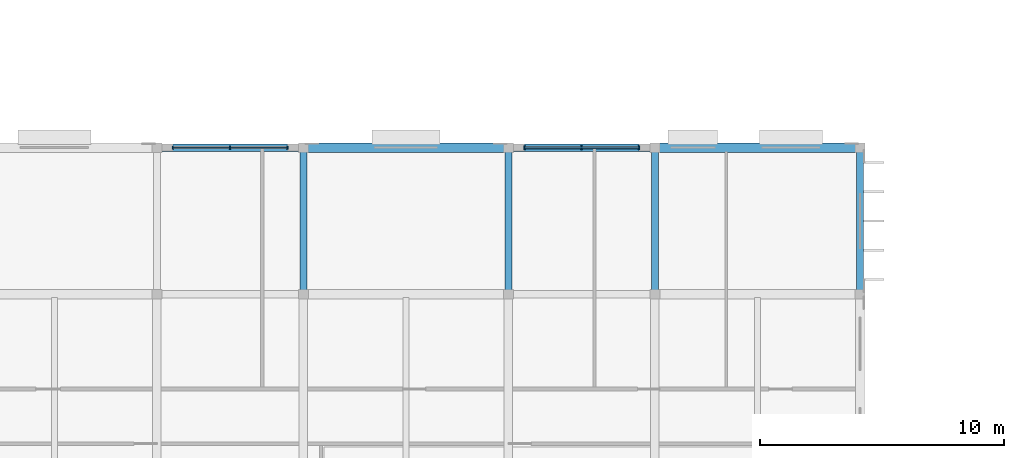
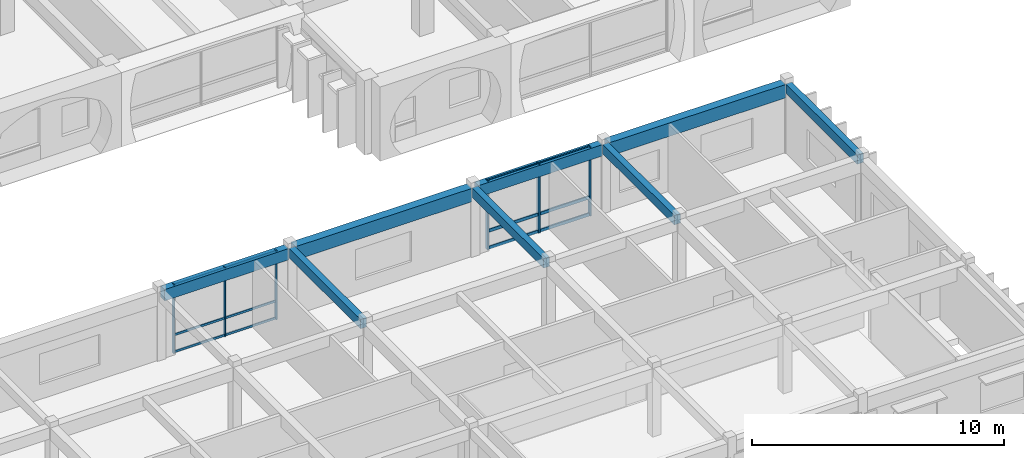
# One storey, part 31 of 88: 12 members, 8 beams, 2 elements without a shape of their own.
"""IFC4 building model written with IfcOpenShell, lengths in metres."""

from ifc_helpers import new_model, si_unit, direction, frame, origin, origin_2d, place, context, subcontext, project, spatial, rectangle, extrude, material, material_profile, profile_set, type_object, element, aggregate, save


model = new_model("IFC4")

# Units and contexts
model_context = context("Model", 3, precision=1e-05, world=origin(), true_north=direction((0.0, 1.0)))
body_context = subcontext(model_context, "Body", "Model", "MODEL_VIEW")
ifc_project = project(units=[si_unit("LENGTHUNIT", "METRE"), si_unit("AREAUNIT", "SQUARE_METRE"), si_unit("VOLUMEUNIT", "CUBIC_METRE"), si_unit("PLANEANGLEUNIT", "RADIAN"), si_unit("MASSUNIT", "GRAM", prefix="KILO"), si_unit("THERMODYNAMICTEMPERATUREUNIT", "KELVIN")], contexts=[model_context])

# Site, building, storey
site_placement = place(None, origin())
site = spatial("IfcSite", under=ifc_project, at=site_placement, CompositionType="ELEMENT")
building_placement = place(site_placement, origin())
building = spatial("IfcBuilding", under=site, at=building_placement, Name="Thalorik Housing Commons", CompositionType="ELEMENT")
storey_placement = place(building_placement, frame((0.0, 0.0, 4.5)))
storey = spatial("IfcBuildingStorey", under=building, at=storey_placement, Name="L01", CompositionType="ELEMENT", Elevation=4.5)

# Curtain wall, members
ifc_material_1 = material(Name="Anodised aluminium and solar-control low-E glass", Category="aluminium")
curtain_wall_type = type_object("IfcCurtainWallType", Name="ARC-CW-CIVIC", PredefinedType="USERDEFINED", material=ifc_material_1)
curtain_wall_1_placement = place(storey_placement, origin())
curtain_wall_1 = element("IfcCurtainWall", 1, at=curtain_wall_1_placement, inside=storey, type_object=curtain_wall_type, Name="L01 Curtain Wall CW-NURS-L01-230", ObjectType="CURTAIN WALL", PredefinedType="USERDEFINED")
ifc_material_2 = material(Name="Anodised aluminium 6063-T6", Category="aluminium")
ifc_material_profile_1 = material_profile(ifc_material_2, rectangle(XDim=0.054931640625, YDim=0.139892578125, at=origin_2d()), Name="ALU MUL 55x140", Category="aluminium")
ifc_profile_set_1 = profile_set([ifc_material_profile_1], Name="Anodised aluminium 6063-T6")
member_type_1 = type_object("IfcMemberType", Name="ARC-CW-MUL-55x140", PredefinedType="MULLION", material=ifc_profile_set_1)
member_1_placement = place(storey_placement, frame((143.35009765625, 28.800048828125, 0.0), z_axis=(0.0, 0.0, 1.0), x_axis=(-1.0, 0.0, 0.0)))
member_1 = element("IfcMember", 2, at=member_1_placement, type_object=member_type_1, Name="CW-NURS-L01-230 Mullion 1", PredefinedType="MULLION", context=body_context, shape_type="SweptSolid", body=[
    extrude(rectangle(XDim=0.054931640625, YDim=0.139892578125, at=origin_2d()), origin(), (0.0, 0.0, 1.0), 3.340087890625),
])
member_2_placement = place(storey_placement, frame((141.0, 28.800048828125, 0.0), z_axis=(0.0, 0.0, 1.0), x_axis=(-1.0, 0.0, 0.0)))
member_2 = element("IfcMember", 3, at=member_2_placement, type_object=member_type_1, Name="CW-NURS-L01-230 Mullion 2", PredefinedType="MULLION", context=body_context, shape_type="SweptSolid", body=[
    extrude(rectangle(XDim=0.054931640625, YDim=0.139892578125, at=origin_2d()), origin(), (0.0, 0.0, 1.0), 3.340087890625),
])
member_3_placement = place(storey_placement, frame((138.64990234375, 28.800048828125, 0.0), z_axis=(0.0, 0.0, 1.0), x_axis=(-1.0, 0.0, 0.0)))
member_3 = element("IfcMember", 4, at=member_3_placement, type_object=member_type_1, Name="CW-NURS-L01-230 Mullion 3", PredefinedType="MULLION", context=body_context, shape_type="SweptSolid", body=[
    extrude(rectangle(XDim=0.054931640625, YDim=0.139892578125, at=origin_2d()), origin(), (0.0, 0.0, 1.0), 3.340087890625),
])

curtain_wall_2_placement = place(storey_placement, origin())
curtain_wall_2 = element("IfcCurtainWall", 5, at=curtain_wall_2_placement, inside=storey, type_object=curtain_wall_type, Name="L01 Curtain Wall CW-NURS-L01-229", ObjectType="CURTAIN WALL", PredefinedType="USERDEFINED")
ifc_material_profile_2 = material_profile(ifc_material_2, rectangle(XDim=0.06494140625, YDim=0.179931640625, at=origin_2d()), Name="ALU MUL 65x180", Category="aluminium")
ifc_profile_set_2 = profile_set([ifc_material_profile_2], Name="Anodised aluminium 6063-T6")
member_type_2 = type_object("IfcMemberType", Name="ARC-CW-MUL-65x180", PredefinedType="MULLION", material=ifc_profile_set_2)
member_4_placement = place(storey_placement, frame((157.75, 28.800048828125, 0.0), z_axis=(0.0, 0.0, 1.0), x_axis=(-1.0, 0.0, 0.0)))
member_4 = element("IfcMember", 6, at=member_4_placement, type_object=member_type_2, Name="CW-NURS-L01-229 Mullion 1", PredefinedType="MULLION", context=body_context, shape_type="SweptSolid", body=[
    extrude(rectangle(XDim=0.06494140625, YDim=0.179931640625, at=origin_2d()), origin(), (0.0, 0.0, 1.0), 3.340087890625),
])
member_5_placement = place(storey_placement, frame((155.39990234375, 28.800048828125, 0.0), z_axis=(0.0, 0.0, 1.0), x_axis=(-1.0, 0.0, 0.0)))
member_5 = element("IfcMember", 7, at=member_5_placement, type_object=member_type_2, Name="CW-NURS-L01-229 Mullion 2", PredefinedType="MULLION", context=body_context, shape_type="SweptSolid", body=[
    extrude(rectangle(XDim=0.06494140625, YDim=0.179931640625, at=origin_2d()), origin(), (0.0, 0.0, 1.0), 3.340087890625),
])
member_6_placement = place(storey_placement, frame((153.050048828125, 28.800048828125, 0.0), z_axis=(0.0, 0.0, 1.0), x_axis=(-1.0, 0.0, 0.0)))
member_6 = element("IfcMember", 8, at=member_6_placement, type_object=member_type_2, Name="CW-NURS-L01-229 Mullion 3", PredefinedType="MULLION", context=body_context, shape_type="SweptSolid", body=[
    extrude(rectangle(XDim=0.06494140625, YDim=0.179931640625, at=origin_2d()), origin(), (0.0, 0.0, 1.0), 3.340087890625),
])

# Member
ifc_material_profile_3 = material_profile(ifc_material_2, rectangle(XDim=0.054931640625, YDim=0.10498046875, at=origin_2d()), Name="ALU TRN 55x105", Category="aluminium")
ifc_profile_set_3 = profile_set([ifc_material_profile_3], Name="Anodised aluminium 6063-T6")
member_type_3 = type_object("IfcMemberType", Name="ARC-CW-TRN-55x105", PredefinedType="USERDEFINED", material=ifc_profile_set_3)
member_7_placement = place(storey_placement, frame((143.35009765625, 28.800048828125, 0.054931640625), z_axis=(-1.0, 0.0, 0.0), x_axis=(0.0, -1.0, 0.0)))
member_7 = element("IfcMember", 9, at=member_7_placement, type_object=member_type_3, Name="CW-NURS-L01-230 Transom 1", ObjectType="TRANSOM", PredefinedType="USERDEFINED", context=body_context, shape_type="SweptSolid", body=[
    extrude(rectangle(XDim=0.054931640625, YDim=0.10498046875, at=origin_2d()), origin(), (0.0, 0.0, 1.0), 4.7001953125),
])

member_8_placement = place(storey_placement, frame((143.35009765625, 28.800048828125, 0.8798828125), z_axis=(-1.0, 0.0, 0.0), x_axis=(0.0, -1.0, 0.0)))
member_8 = element("IfcMember", 10, at=member_8_placement, type_object=member_type_3, Name="CW-NURS-L01-230 Transom 2", ObjectType="TRANSOM", PredefinedType="USERDEFINED", context=body_context, shape_type="SweptSolid", body=[
    extrude(rectangle(XDim=0.054931640625, YDim=0.10498046875, at=origin_2d()), origin(), (0.0, 0.0, 1.0), 4.7001953125),
])

member_9_placement = place(storey_placement, frame((143.35009765625, 28.800048828125, 3.284912109375), z_axis=(-1.0, 0.0, 0.0), x_axis=(0.0, -1.0, 0.0)))
member_9 = element("IfcMember", 11, at=member_9_placement, type_object=member_type_3, Name="CW-NURS-L01-230 Transom 3", ObjectType="TRANSOM", PredefinedType="USERDEFINED", context=body_context, shape_type="SweptSolid", body=[
    extrude(rectangle(XDim=0.054931640625, YDim=0.10498046875, at=origin_2d()), origin(), (0.0, 0.0, 1.0), 4.7001953125),
])

aggregate(curtain_wall_1, [member_1, member_2, member_3, member_7, member_8, member_9])

ifc_material_profile_4 = material_profile(ifc_material_2, rectangle(XDim=0.06494140625, YDim=0.14990234375, at=origin_2d()), Name="ALU TRN 65x150", Category="aluminium")
ifc_profile_set_4 = profile_set([ifc_material_profile_4], Name="Anodised aluminium 6063-T6")
member_type_4 = type_object("IfcMemberType", Name="ARC-CW-TRN-65x150", PredefinedType="USERDEFINED", material=ifc_profile_set_4)
member_10_placement = place(storey_placement, frame((157.75, 28.800048828125, 0.054931640625), z_axis=(-1.0, 0.0, 0.0), x_axis=(0.0, -1.0, 0.0)))
member_10 = element("IfcMember", 12, at=member_10_placement, type_object=member_type_4, Name="CW-NURS-L01-229 Transom 1", ObjectType="TRANSOM", PredefinedType="USERDEFINED", context=body_context, shape_type="SweptSolid", body=[
    extrude(rectangle(XDim=0.06494140625, YDim=0.14990234375, at=origin_2d()), origin(), (0.0, 0.0, 1.0), 4.699951171875),
])

member_11_placement = place(storey_placement, frame((157.75, 28.800048828125, 0.8798828125), z_axis=(-1.0, 0.0, 0.0), x_axis=(0.0, -1.0, 0.0)))
member_11 = element("IfcMember", 13, at=member_11_placement, type_object=member_type_4, Name="CW-NURS-L01-229 Transom 2", ObjectType="TRANSOM", PredefinedType="USERDEFINED", context=body_context, shape_type="SweptSolid", body=[
    extrude(rectangle(XDim=0.06494140625, YDim=0.14990234375, at=origin_2d()), origin(), (0.0, 0.0, 1.0), 4.699951171875),
])

member_12_placement = place(storey_placement, frame((157.75, 28.800048828125, 3.284912109375), z_axis=(-1.0, 0.0, 0.0), x_axis=(0.0, -1.0, 0.0)))
member_12 = element("IfcMember", 14, at=member_12_placement, type_object=member_type_4, Name="CW-NURS-L01-229 Transom 3", ObjectType="TRANSOM", PredefinedType="USERDEFINED", context=body_context, shape_type="SweptSolid", body=[
    extrude(rectangle(XDim=0.06494140625, YDim=0.14990234375, at=origin_2d()), origin(), (0.0, 0.0, 1.0), 4.699951171875),
])

aggregate(curtain_wall_2, [member_4, member_5, member_6, member_10, member_11, member_12])

# Beams
ifc_material_3 = material(Name="Precast concrete C40/50", Category="concrete")
ifc_material_profile_5 = material_profile(ifc_material_3, rectangle(XDim=0.280029296875, YDim=0.449951171875, at=origin_2d()), Name="PC 280x450", Category="concrete")
ifc_profile_set_5 = profile_set([ifc_material_profile_5], Name="Precast concrete C40/50")
beam_type_1 = type_object("IfcBeamType", Name="STR-BM-PC280x450", PredefinedType="BEAM", material=ifc_profile_set_5)
for number, where, z_axis, x_axis, name in (
    (15, (144.0, 22.949951171875, 3.114990234375), (0.0, 1.0, 0.0), (-1.0, 0.0, 0.0), "L01 Beam B-450"),
    (16, (152.39990234375, 22.949951171875, 3.114990234375), (0.0, 1.0, 0.0), (-1.0, 0.0, 0.0), "L01 Beam B-450"),
    (17, (158.39990234375, 22.949951171875, 3.114990234375), (0.0, 1.0, 0.0), (-1.0, 0.0, 0.0), "L01 Beam B-450"),
    (18, (166.800048828125, 22.949951171875, 3.114990234375), (0.0, 1.0, 0.0), (-1.0, 0.0, 0.0), "L01 Beam B-450"),
):
    element("IfcBeam", number, at=place(storey_placement, frame(where, z_axis=z_axis, x_axis=x_axis)), inside=storey, type_object=beam_type_1, Name=name, PredefinedType="BEAM", context=body_context, shape_type="SweptSolid", body=[
        extrude(rectangle(XDim=0.280029296875, YDim=0.449951171875, at=origin_2d()), origin(), (0.0, 0.0, 1.0), 5.699951171875),
    ])
ifc_material_profile_6 = material_profile(ifc_material_3, rectangle(XDim=0.320068359375, YDim=0.550048828125, at=origin_2d()), Name="PC 320x550", Category="concrete")
ifc_profile_set_6 = profile_set([ifc_material_profile_6], Name="Precast concrete C40/50")
beam_type_2 = type_object("IfcBeamType", Name="STR-BM-PC320x550", PredefinedType="BEAM", material=ifc_profile_set_6)
beam_1_placement = place(storey_placement, frame((138.14990234375, 28.800048828125, 3.06494140625), z_axis=(1.0, 0.0, 0.0), x_axis=(0.0, 1.0, 0.0)))
element("IfcBeam", 19, at=beam_1_placement, inside=storey, type_object=beam_type_2, Name="L01 Beam B-550", PredefinedType="BEAM", context=body_context, shape_type="SweptSolid", body=[
    extrude(rectangle(XDim=0.320068359375, YDim=0.550048828125, at=origin_2d()), origin(), (0.0, 0.0, 1.0), 5.7001953125),
])
beam_2_placement = place(storey_placement, frame((152.550048828125, 28.800048828125, 3.06494140625), z_axis=(1.0, 0.0, 0.0), x_axis=(0.0, 1.0, 0.0)))
element("IfcBeam", 20, at=beam_2_placement, inside=storey, type_object=beam_type_2, Name="L01 Beam B-550", PredefinedType="BEAM", context=body_context, shape_type="SweptSolid", body=[
    extrude(rectangle(XDim=0.320068359375, YDim=0.550048828125, at=origin_2d()), origin(), (0.0, 0.0, 1.0), 5.699951171875),
])
ifc_material_profile_7 = material_profile(ifc_material_3, rectangle(XDim=0.3798828125, YDim=0.64990234375, at=origin_2d()), Name="PC 380x650", Category="concrete")
ifc_profile_set_7 = profile_set([ifc_material_profile_7], Name="Precast concrete C40/50")
beam_type_3 = type_object("IfcBeamType", Name="STR-BM-PC380x650", PredefinedType="BEAM", material=ifc_profile_set_7)
beam_3_placement = place(storey_placement, frame((144.14990234375, 28.800048828125, 3.014892578125), z_axis=(1.0, 0.0, 0.0), x_axis=(0.0, 1.0, 0.0)))
element("IfcBeam", 21, at=beam_3_placement, inside=storey, type_object=beam_type_3, Name="L01 Beam B-650", PredefinedType="BEAM", context=body_context, shape_type="SweptSolid", body=[
    extrude(rectangle(XDim=0.3798828125, YDim=0.64990234375, at=origin_2d()), origin(), (0.0, 0.0, 1.0), 8.10009765625),
])
beam_4_placement = place(storey_placement, frame((158.550048828125, 28.800048828125, 3.014892578125), z_axis=(1.0, 0.0, 0.0), x_axis=(0.0, 1.0, 0.0)))
element("IfcBeam", 22, at=beam_4_placement, inside=storey, type_object=beam_type_3, Name="L01 Beam B-650", PredefinedType="BEAM", context=body_context, shape_type="SweptSolid", body=[
    extrude(rectangle(XDim=0.3798828125, YDim=0.64990234375, at=origin_2d()), origin(), (0.0, 0.0, 1.0), 8.099853515625),
])

save(model, "model.ifc")
